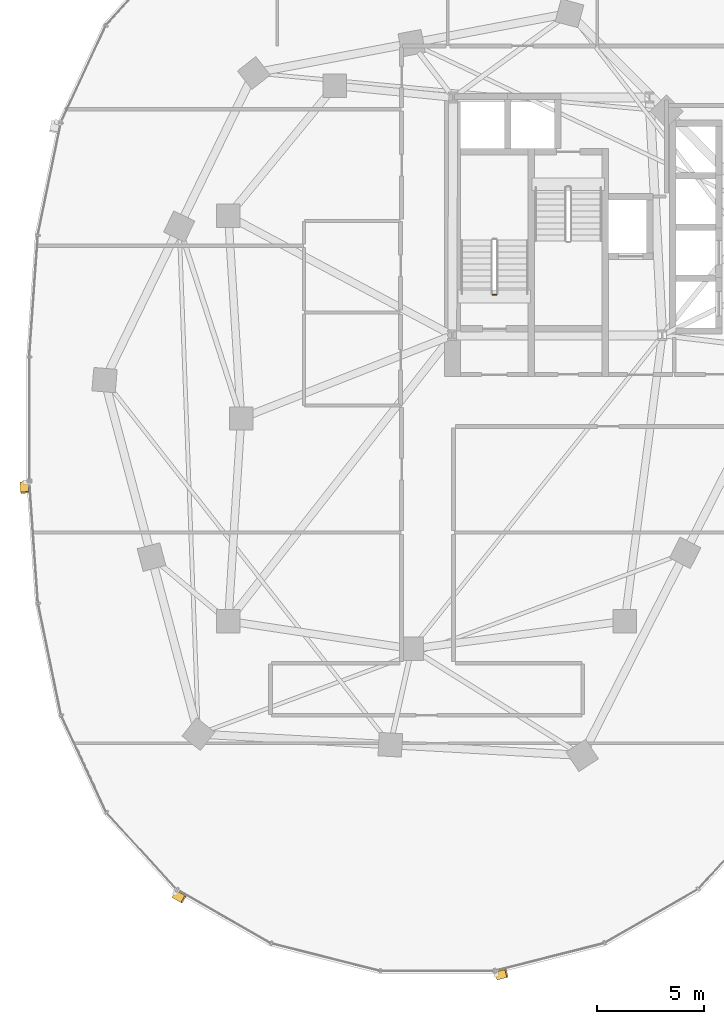
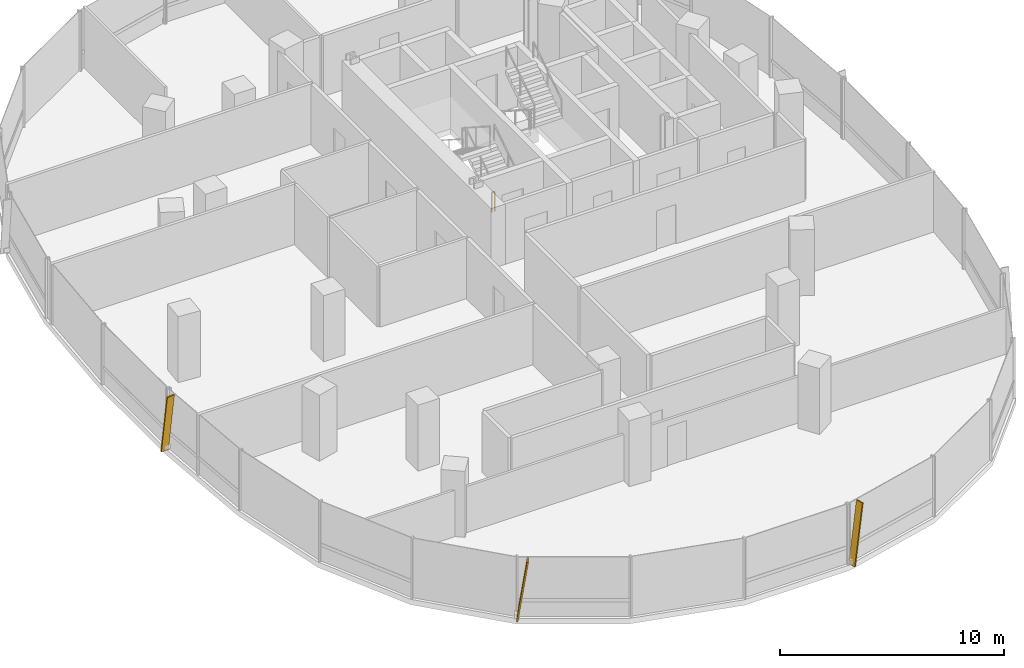
# One storey, part 17 of 21: 3 shading devices, 1 railing.
"""IFC4 building model written with IfcOpenShell, lengths in metres."""

from ifc_helpers import new_model, si_unit, direction, frame, origin, origin_2d, place, context, subcontext, project, spatial, rectangle, extrude, material, material_profile, profile_set, type_object, element, save


model = new_model("IFC4")

# Units and contexts
model_context = context("Model", 3, precision=1e-05, world=origin(), true_north=direction((0.0, 1.0)))
body_context = subcontext(model_context, "Body", "Model", "MODEL_VIEW")
ifc_project = project(units=[si_unit("LENGTHUNIT", "METRE"), si_unit("AREAUNIT", "SQUARE_METRE"), si_unit("VOLUMEUNIT", "CUBIC_METRE"), si_unit("PLANEANGLEUNIT", "RADIAN"), si_unit("MASSUNIT", "GRAM", prefix="KILO"), si_unit("THERMODYNAMICTEMPERATUREUNIT", "KELVIN"), si_unit("POWERUNIT", "WATT")], contexts=[model_context])

# Site, building, storey
site_placement = place(None, origin())
site = spatial("IfcSite", under=ifc_project, at=site_placement, CompositionType="ELEMENT")
building_placement = place(site_placement, origin())
building = spatial("IfcBuilding", under=site, at=building_placement, Name="Cundina Bronze Exchange", CompositionType="ELEMENT")
storey_placement = place(building_placement, frame((0.0, 0.0, 121.39990234375)))
storey = spatial("IfcBuildingStorey", under=building, at=storey_placement, Name="L31", CompositionType="ELEMENT", Elevation=121.39990234375)

# Railing
ifc_material_1 = material(Name="Steel ASTM A36 Painted", Category="steel")
railing_type = type_object("IfcRailingType", Name="RLG-STG-1100", PredefinedType="GUARDRAIL", material=ifc_material_1)
railing_placement = place(storey_placement, frame((-29.239990234375, 5.800048828125, 0.0)))
element("IfcRailing", 1, at=railing_placement, inside=storey, type_object=railing_type, Name="L31 ST-W1 stair guard 4", PredefinedType="GUARDRAIL", context=body_context, shape_type="SweptSolid", body=[
    extrude(rectangle(XDim=0.048095703125, YDim=0.048095703125, at=origin_2d()), frame((0.0, 0.0, 1.076171875), z_axis=(-1.0, 0.0, 0.0), x_axis=(0.0, -1.0, 0.0)), (0.0, 0.0, 1.0), 0.159912109375),
    extrude(rectangle(XDim=0.0419921875, YDim=0.0419921875, at=origin_2d()), origin(), (0.0, 0.0, 1.0), 1.052001953125),
    extrude(rectangle(XDim=0.0419921875, YDim=0.0419921875, at=origin_2d()), frame((-0.159912109375, 0.0, 0.0)), (0.0, 0.0, 1.0), 1.052001953125),
])

# Shading devices
ifc_material_2 = material(Name="Anodised Bronze Aluminium 6063-T6", Category="aluminium")
ifc_material_profile = material_profile(ifc_material_2, rectangle(XDim=0.070068359375, YDim=0.3798828125, at=origin_2d()), Name="FIN70X380", Category="aluminium")
ifc_profile_set = profile_set([ifc_material_profile], Name="Anodised Bronze Aluminium 6063-T6")
shading_device_type = type_object("IfcShadingDeviceType", Name="SHD-FIN-BRZ380", PredefinedType="USERDEFINED", material=ifc_profile_set)
for number, where, z_axis, x_axis, name in (
    (2, (-51.3740234375, -2.993896484375, 0.02001953125), (0.010224545828, -0.145292278041, 0.989335945271), (-0.069450050635, 0.986895284755, 0.145651595925), "L31 Diagonal Bronze Solar Fin 1"),
    (3, (-44.314208984375, -22.314208984375, 0.02001953125), (0.126324692219, -0.072534823274, 0.989333498649), (-0.857958278167, 0.492634108109, 0.145668213594), "L31 Diagonal Bronze Solar Fin 5"),
    (4, (-29.212646484375, -26.138427734375, 0.02001953125), (0.141217047268, 0.035711761166, 0.989334329575), (-0.95914051701, -0.242552848478, 0.145662570088), "L31 Diagonal Bronze Solar Fin 1"),
):
    element("IfcShadingDevice", number, at=place(storey_placement, frame(where, z_axis=z_axis, x_axis=x_axis)), inside=storey, type_object=shading_device_type, Name=name, ObjectType="FIN", PredefinedType="USERDEFINED", context=body_context, shape_type="SweptSolid", body=[
        extrude(rectangle(XDim=0.070068359375, YDim=0.3798828125, at=origin_2d()), origin(), (0.0, 0.0, 1.0), 3.295166015625),
    ])

save(model, "model.ifc")
